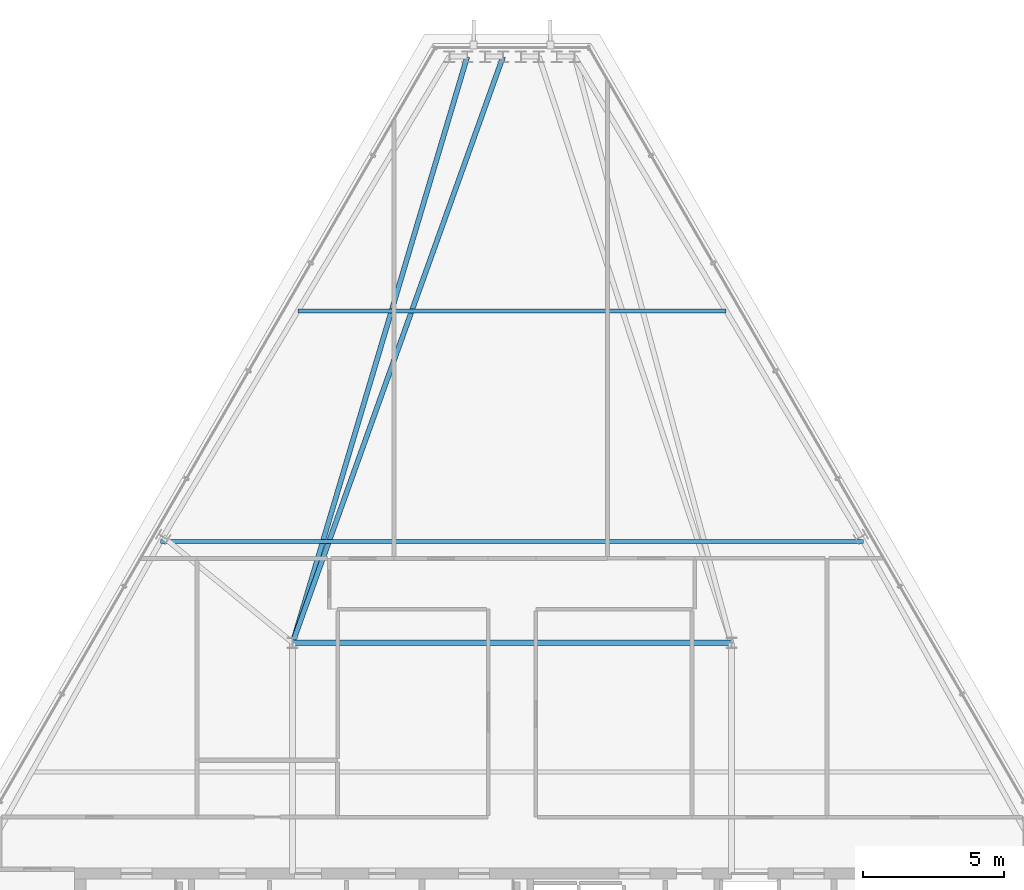
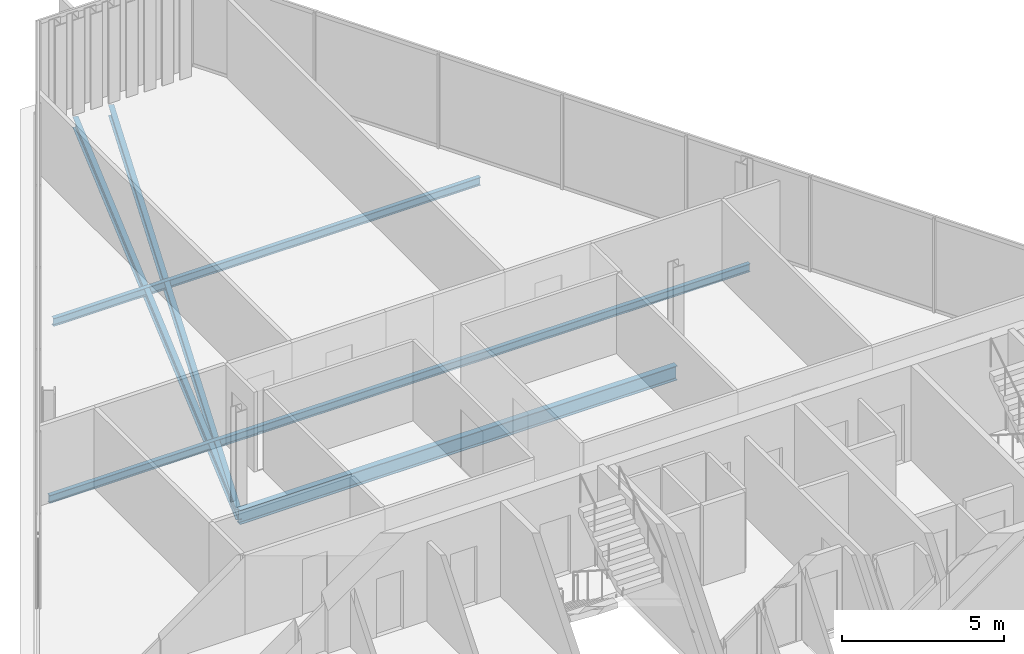
# One storey, part 17 of 34: 5 beams.
"""IFC4 building model written with IfcOpenShell, lengths in metres."""

import ifcopenshell
import ifcopenshell.guid

model = None  # the IFC model being written
_history = None  # IfcOwnerHistory: only IFC2X3 demands one
_inside = {}  # id of a spatial element -> (the spatial element, [elements in it])
_under = {}  # id of a project, library or spatial element -> (it, [spatial elements below it])
_declared = {}  # id of a project -> (the project, [libraries it declares])
_typed = {}  # id of a type object -> (the type object, [elements of that type])
_made_of = {}  # id of a material, layer set ... -> (it, [elements and type objects made of it])


def new_model(schema):
    """Start an empty IFC model of exactly this schema.

    Asked for "IFC4X3", IfcOpenShell would pick the latest addendum, in which some entities
    have other attributes; the version numbers below select the first issue.
    IFC2X3 requires an IfcOwnerHistory on every rooted entity: one is made here for all.
    """
    global model, _history
    if schema == "IFC4X3":
        model = ifcopenshell.file(schema_version=(4, 3, 0, 0))
    else:
        model = ifcopenshell.file(schema=schema)
    _inside.clear()
    _under.clear()
    _declared.clear()
    _typed.clear()
    _made_of.clear()
    _history = None
    if model.schema == "IFC2X3":
        org = make("IfcOrganization", Name="unknown")
        user = make(
            "IfcPersonAndOrganization",
            ThePerson=make("IfcPerson", FamilyName="unknown"),
            TheOrganization=org,
        )
        app = make(
            "IfcApplication",
            ApplicationDeveloper=org,
            Version="unknown",
            ApplicationFullName="unknown",
            ApplicationIdentifier="unknown",
        )
        _history = make(
            "IfcOwnerHistory",
            OwningUser=user,
            OwningApplication=app,
            ChangeAction="ADDED",
            CreationDate=0,
        )
    return model


def make(cls, **values):
    """One entity of the class cls with the attributes given. An attribute that is None is left unset."""
    return model.create_entity(
        cls, **{name: value for name, value in values.items() if value is not None}
    )


def rooted(cls, **values):
    """An entity with a GlobalId (a new one), such as an element, a storey or a relation."""
    return make(cls, GlobalId=ifcopenshell.guid.new(), OwnerHistory=_history, **values)


def si_unit(unit_type, name, prefix=None):
    """IfcSIUnit, for example si_unit("LENGTHUNIT", "METRE", prefix="MILLI")."""
    return make("IfcSIUnit", UnitType=unit_type, Prefix=prefix, Name=name)


def assignment(units):
    """IfcUnitAssignment: the units of a project."""
    return None if units is None else make("IfcUnitAssignment", Units=units)


def point(xyz):
    """IfcCartesianPoint."""
    return None if xyz is None else make("IfcCartesianPoint", Coordinates=xyz)


def direction(xyz):
    """IfcDirection."""
    return None if xyz is None else make("IfcDirection", DirectionRatios=xyz)


def frame(location, z_axis=None, x_axis=None):
    """IfcAxis2Placement3D, a coordinate frame: its origin and axes. An axis left out is left unset."""
    return make(
        "IfcAxis2Placement3D",
        Location=point(location),
        Axis=direction(z_axis),
        RefDirection=direction(x_axis),
    )


def frame_2d(location, x_axis=None):
    """IfcAxis2Placement2D, a coordinate frame in the plane: its origin and x axis."""
    return make(
        "IfcAxis2Placement2D", Location=point(location), RefDirection=direction(x_axis)
    )


def origin():
    """The frame at (0, 0, 0) with its axes left unset."""
    return frame((0.0, 0.0, 0.0))


def origin_2d():
    """The frame at (0, 0) in the plane with its x axis left unset."""
    return frame_2d((0.0, 0.0))


def place(relative_to, where):
    """IfcLocalPlacement: puts the frame where relative to a parent placement (None: the world)."""
    return make(
        "IfcLocalPlacement", PlacementRelTo=relative_to, RelativePlacement=where
    )


def context(
    kind, dimensions, precision=None, world=None, true_north=None, identifier=None
):
    """IfcGeometricRepresentationContext, for example the 3D "Model" context."""
    return make(
        "IfcGeometricRepresentationContext",
        ContextIdentifier=identifier,
        ContextType=kind,
        CoordinateSpaceDimension=dimensions,
        Precision=precision,
        WorldCoordinateSystem=world,
        TrueNorth=true_north,
    )


def subcontext(parent, identifier, kind, view, scale=None):
    """IfcGeometricRepresentationSubContext, for example "Body" below "Model"."""
    return make(
        "IfcGeometricRepresentationSubContext",
        ContextIdentifier=identifier,
        ContextType=kind,
        ParentContext=parent,
        TargetScale=scale,
        TargetView=view,
    )


def project(units=None, contexts=None):
    """IfcProject with its units and contexts."""
    return rooted(
        "IfcProject",
        Name="project",
        RepresentationContexts=contexts,
        UnitsInContext=assignment(units),
    )


def spatial(cls, under=None, at=None, **own):
    """A site, building, storey or space (cls), placed at a placement, below another one or the project."""
    s = rooted(cls, ObjectPlacement=at, **own)
    if under is not None:
        _under.setdefault(under.id(), (under, []))[1].append(s)
    return s


def profile(cls, at=None, kind="AREA", **sizes):
    """A parametric profile (cls). Its sizes go by their IFC names, for example OverallWidth=200.0."""
    return make(cls, ProfileType=kind, Position=at, **sizes)


def i_section(**sizes):
    """IfcIShapeProfileDef."""
    return profile("IfcIShapeProfileDef", **sizes)


def extrude(swept, where, along, depth):
    """IfcExtrudedAreaSolid: the profile swept, set in the frame where, extruded along a direction by depth."""
    return make(
        "IfcExtrudedAreaSolid",
        SweptArea=swept,
        Position=where,
        ExtrudedDirection=direction(along),
        Depth=depth,
    )


def shape(context_of_items, identifier, shape_type, items):
    """IfcShapeRepresentation: the items that make up one representation, for example the "Body"."""
    return make(
        "IfcShapeRepresentation",
        ContextOfItems=context_of_items,
        RepresentationIdentifier=identifier,
        RepresentationType=shape_type,
        Items=items,
    )


def material(Name=None, Category=None):
    """IfcMaterial."""
    return make("IfcMaterial", Name=Name, Category=Category)


def material_profile(
    of_material, cross_section, Name=None, Category=None, Priority=None
):
    """IfcMaterialProfile: a cross section and its material."""
    return make(
        "IfcMaterialProfile",
        Name=Name,
        Material=of_material,
        Profile=cross_section,
        Priority=Priority,
        Category=Category,
    )


def profile_set(profiles, Name=None, composite=None):
    """IfcMaterialProfileSet."""
    return make(
        "IfcMaterialProfileSet",
        Name=Name,
        MaterialProfiles=profiles,
        CompositeProfile=composite,
    )


def made_of(thing, what):
    """Note that an element or type object is made of a material, layer set ...; save() writes the relation."""
    if what is not None:
        _made_of.setdefault(what.id(), (what, []))[1].append(thing)
    return thing


def type_object(cls, material=None, **own):
    """A type object (cls), such as IfcWallType, which elements share."""
    return made_of(rooted(cls, **own), material)


def element(
    cls,
    number,
    at=None,
    inside=None,
    cuts=None,
    type_object=None,
    material=None,
    context=None,
    identifier="Body",
    shape_type=None,
    held_by="IfcProductDefinitionShape",
    body=None,
    shapes=None,
    **own,
):
    """One element of the class cls, such as IfcWall. Its Tag is "e" and its number.

    at: its placement. inside: the storey or other place that contains it. cuts: it is an
    opening in that element (IfcRelVoidsElement). A single representation is given by context,
    identifier, shape_type and body (its items); several are given by shapes. held_by: the class
    of the entity that holds the representations. save() writes the other relations.
    """
    e = rooted(cls, Tag="e%d" % number, ObjectPlacement=at, **own)
    if body is not None:
        shapes = [shape(context, identifier, shape_type, body)]
    if shapes is not None:
        e.Representation = make(held_by, Representations=shapes)
    if inside is not None:
        _inside.setdefault(inside.id(), (inside, []))[1].append(e)
    if cuts is not None:
        rooted(
            "IfcRelVoidsElement", RelatingBuildingElement=cuts, RelatedOpeningElement=e
        )
    if type_object is not None:
        _typed.setdefault(type_object.id(), (type_object, []))[1].append(e)
    return made_of(e, material)


def aggregate(whole, parts):
    """IfcRelAggregates: a whole, such as a stair, and the parts it consists of."""
    return rooted("IfcRelAggregates", RelatingObject=whole, RelatedObjects=parts)


def save(model, path):
    """Write the relations noted so far, then the file.

    IfcRelAggregates (storeys below a building ...), IfcRelContainedInSpatialStructure (elements
    in a storey), IfcRelDefinesByType, IfcRelAssociatesMaterial and IfcRelDeclares: one each for
    every whole, place, type object, material and project.
    """
    for whole, parts in _under.values():
        aggregate(whole, parts)
    for where, things in _inside.values():
        rooted(
            "IfcRelContainedInSpatialStructure",
            RelatedElements=things,
            RelatingStructure=where,
        )
    for kind, things in _typed.values():
        rooted("IfcRelDefinesByType", RelatedObjects=things, RelatingType=kind)
    for what, things in _made_of.values():
        rooted("IfcRelAssociatesMaterial", RelatedObjects=things, RelatingMaterial=what)
    for by, libraries in _declared.values():
        rooted("IfcRelDeclares", RelatingContext=by, RelatedDefinitions=libraries)
    model.write(path)


model = new_model("IFC4")

# Units and contexts
model_context = context("Model", 3, precision=1e-05, world=origin(), true_north=direction((0.0, 1.0)))
body_context = subcontext(model_context, "Body", "Model", "MODEL_VIEW")
ifc_project = project(units=[si_unit("LENGTHUNIT", "METRE"), si_unit("AREAUNIT", "SQUARE_METRE"), si_unit("VOLUMEUNIT", "CUBIC_METRE"), si_unit("PLANEANGLEUNIT", "RADIAN"), si_unit("MASSUNIT", "GRAM", prefix="KILO")], contexts=[model_context])

# Site, building, storey
site_placement = place(None, origin())
site = spatial("IfcSite", under=ifc_project, at=site_placement, CompositionType="ELEMENT")
building_placement = place(site_placement, origin())
building = spatial("IfcBuilding", under=site, at=building_placement, Name="Ndaravel Arena Tower", CompositionType="ELEMENT")
storey_placement = place(building_placement, frame((0.0, 0.0, 263.60009765625)))
storey = spatial("IfcBuildingStorey", under=building, at=storey_placement, Name="L64", CompositionType="ELEMENT", Elevation=263.60009765625)

# Beams
ifc_material_1 = material(Name="Steel S355", Category="steel")
ifc_material_profile_1 = material_profile(ifc_material_1, i_section(OverallWidth=0.1787109375, OverallDepth=0.409423828125, WebThickness=0.0087890625, FlangeThickness=0.014404296875, FilletRadius=0.01025390625, at=origin_2d()), Name="UB 406x178x67")
ifc_profile_set_1 = profile_set([ifc_material_profile_1], Name="Steel S355")
beam_type_1 = type_object("IfcBeamType", Name="BM-GIRD-UB406", PredefinedType="BEAM", material=ifc_profile_set_1)
beam_1_placement = place(storey_placement, frame((41.681884765625, 44.038330078125, -0.4248046875), z_axis=(-0.337924362634, -0.941173270518, 0.0), x_axis=(0.941173270518, -0.337924362634, 0.0)))
element("IfcBeam", 1, at=beam_1_placement, inside=storey, type_object=beam_type_1, Name="L64 Radial Floor Girder FG-15", PredefinedType="BEAM", context=body_context, shape_type="SweptSolid", body=[
    extrude(i_section(OverallWidth=0.1787109375, OverallDepth=0.409423828125, WebThickness=0.0087890625, FlangeThickness=0.014404296875, FilletRadius=0.01025390625, at=origin_2d()), origin(), (0.0, 0.0, 1.0), 22.140869140625),
])
beam_2_placement = place(storey_placement, frame((40.4091796875, 44.038330078125, -0.4248046875), z_axis=(-0.285563258589, -0.958359862131, 0.0), x_axis=(0.958359862131, -0.285563258589, 0.0)))
element("IfcBeam", 2, at=beam_2_placement, inside=storey, type_object=beam_type_1, Name="L64 Radial Floor Girder FG-17", PredefinedType="BEAM", context=body_context, shape_type="SweptSolid", body=[
    extrude(i_section(OverallWidth=0.1787109375, OverallDepth=0.409423828125, WebThickness=0.0087890625, FlangeThickness=0.014404296875, FilletRadius=0.01025390625, at=origin_2d()), origin(), (0.0, 0.0, 1.0), 21.743896484375),
])
ifc_material_2 = material(Name="Steel S355", Category="steel")
ifc_material_profile_2 = material_profile(ifc_material_2, i_section(OverallWidth=0.210693359375, OverallDepth=0.53955078125, WebThickness=0.01171875, FlangeThickness=0.018798828125, FilletRadius=0.0126953125, at=origin_2d()), Name="UB 533x210x109")
ifc_profile_set_2 = profile_set([ifc_material_profile_2], Name="Steel S355")
beam_type_2 = type_object("IfcBeamType", Name="BM-GIRD-UB533", PredefinedType="BEAM", material=ifc_profile_set_2)
beam_3_placement = place(storey_placement, frame((34.199951171875, 23.199951171875, -0.48974609375), z_axis=(1.0, 0.0, 0.0), x_axis=(0.0, 1.0, 0.0)))
element("IfcBeam", 3, at=beam_3_placement, inside=storey, type_object=beam_type_2, Name="L64 Spine Link Girder SLG-03", PredefinedType="BEAM", context=body_context, shape_type="SweptSolid", body=[
    extrude(i_section(OverallWidth=0.210693359375, OverallDepth=0.53955078125, WebThickness=0.01171875, FlangeThickness=0.018798828125, FilletRadius=0.0126953125, at=origin_2d()), origin(), (0.0, 0.0, 1.0), 15.60009765625),
])
ifc_material_3 = material(Name="Steel S355", Category="steel")
ifc_material_profile_3 = material_profile(ifc_material_3, i_section(OverallWidth=0.14990234375, OverallDepth=0.300048828125, WebThickness=0.007080078125, FlangeThickness=0.0107421875, FilletRadius=0.014892578125, at=origin_2d()), Name="IPE 300")
ifc_profile_set_3 = profile_set([ifc_material_profile_3], Name="Steel S355")
beam_type_3 = type_object("IfcBeamType", Name="BM-JOIST-IPE300", PredefinedType="JOIST", material=ifc_profile_set_3)
beam_4_placement = place(storey_placement, frame((29.5048828125, 26.800048828125, -0.3701171875), z_axis=(1.0, 0.0, 0.0), x_axis=(0.0, 1.0, 0.0)))
element("IfcBeam", 4, at=beam_4_placement, inside=storey, type_object=beam_type_3, Name="L64 Composite Floor Joist FJ-02", PredefinedType="JOIST", context=body_context, shape_type="SweptSolid", body=[
    extrude(i_section(OverallWidth=0.14990234375, OverallDepth=0.300048828125, WebThickness=0.007080078125, FlangeThickness=0.0107421875, FilletRadius=0.014892578125, at=origin_2d()), origin(), (0.0, 0.0, 1.0), 24.990234375),
])
beam_5_placement = place(storey_placement, frame((34.385986328125, 35.0, -0.3701171875), z_axis=(1.0, 0.0, 0.0), x_axis=(0.0, 1.0, 0.0)))
element("IfcBeam", 5, at=beam_5_placement, inside=storey, type_object=beam_type_3, Name="L64 Composite Floor Joist FJ-03", PredefinedType="JOIST", context=body_context, shape_type="SweptSolid", body=[
    extrude(i_section(OverallWidth=0.14990234375, OverallDepth=0.300048828125, WebThickness=0.007080078125, FlangeThickness=0.0107421875, FilletRadius=0.014892578125, at=origin_2d()), origin(), (0.0, 0.0, 1.0), 15.22802734375),
])

save(model, "model.ifc")
